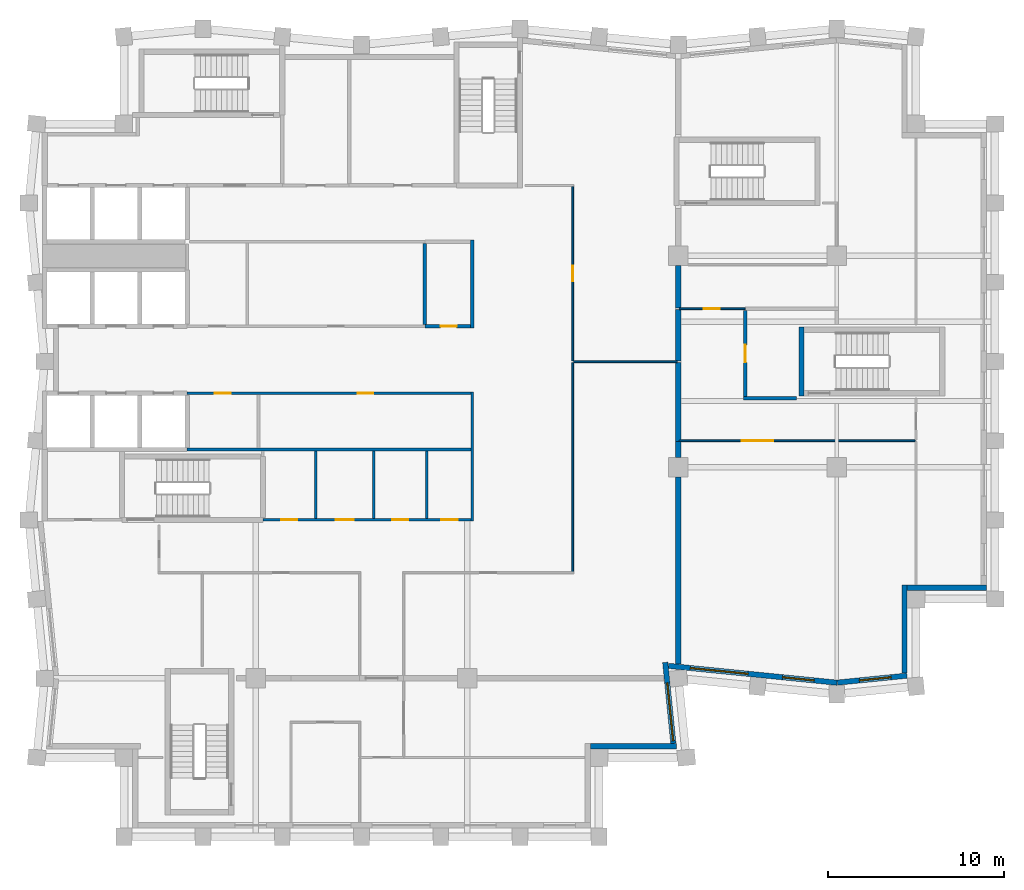
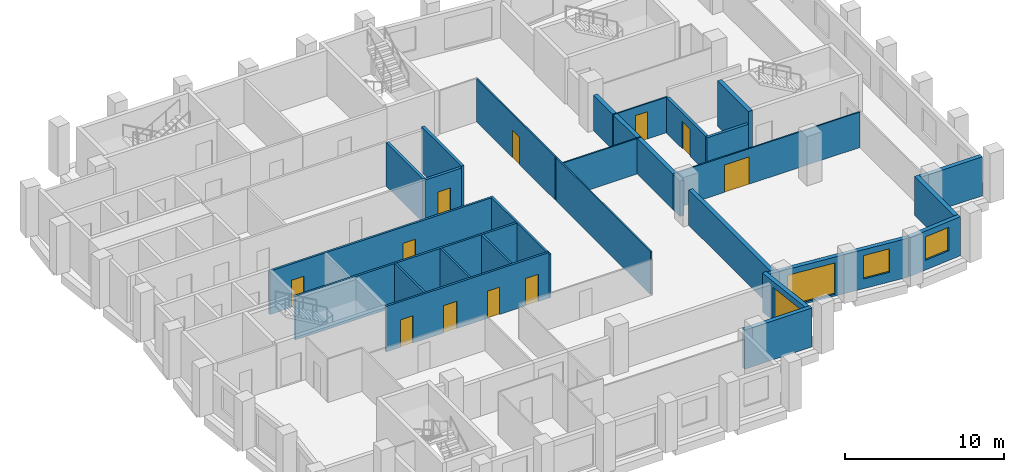
# One storey, part 4 of 8: 29 walls, 11 doors, 4 windows, 15 openings.
"""IFC4 building model written with IfcOpenShell, lengths in metres."""

from ifc_helpers import new_model, si_unit, direction, frame, frame_2d, origin, place, context, subcontext, project, spatial, rectangle, extrude, material, layer, layer_set, type_object, element, fill, save


model = new_model("IFC4")

# Units and contexts
model_context = context("Model", 3, precision=1e-05, world=origin(), true_north=direction((0.0, 1.0)))
body_context = subcontext(model_context, "Body", "Model", "MODEL_VIEW")
ifc_project = project(units=[si_unit("LENGTHUNIT", "METRE"), si_unit("AREAUNIT", "SQUARE_METRE"), si_unit("VOLUMEUNIT", "CUBIC_METRE"), si_unit("PLANEANGLEUNIT", "RADIAN"), si_unit("MASSUNIT", "GRAM", prefix="KILO")], contexts=[model_context])

# Site, building, storey
site_placement = place(None, origin())
site = spatial("IfcSite", under=ifc_project, at=site_placement, CompositionType="ELEMENT")
building_placement = place(site_placement, origin())
building = spatial("IfcBuilding", under=site, at=building_placement, Name="Brondeck Convention Tower", CompositionType="ELEMENT")
storey_placement = place(building_placement, frame((0.0, 0.0, 244.39990234375)))
storey = spatial("IfcBuildingStorey", under=building, at=storey_placement, Name="L60", CompositionType="ELEMENT", Elevation=244.39990234375)

# Walls
ifc_material_1 = material(Name="Concrete compartment wall C30/37", Category="concrete")
ifc_layer_1 = layer(ifc_material_1, 0.300048828125)
ifc_layer_set_1 = layer_set([ifc_layer_1], Name="Compartment wall 300")
wall_type_1 = type_object("IfcWallType", Name="Compartment wall 300", PredefinedType="PARTITIONING", material=ifc_layer_set_1)
wall_1_placement = place(storey_placement, frame((36.0, 27.823974609375, 0.0), z_axis=(0.0, 0.0, 1.0), x_axis=(0.0, 1.0, 0.0)))
element("IfcWall", 1, at=wall_1_placement, inside=storey, type_object=wall_type_1, Name="FLR-L60-W021", PredefinedType="PARTITIONING", context=body_context, shape_type="SweptSolid", body=[
    extrude(rectangle(XDim=10.62109375, YDim=0.300048828125, at=frame_2d((5.310546875, 0.0))), origin(), (0.0, 0.0, 1.0), 2.72998046875),
])
wall_2_placement = place(storey_placement, frame((36.0, 39.554931640625, 0.0), z_axis=(0.0, 0.0, 1.0), x_axis=(0.0, 1.0, 0.0)))
element("IfcWall", 2, at=wall_2_placement, inside=storey, type_object=wall_type_1, Name="FLR-L60-W030", PredefinedType="PARTITIONING", context=body_context, shape_type="SweptSolid", body=[
    extrude(rectangle(XDim=0.89501953125, YDim=0.300048828125, at=frame_2d((0.447509765625, 0.0))), origin(), (0.0, 0.0, 1.0), 2.72998046875),
])
wall_3_placement = place(storey_placement, frame((36.0, 40.455078125, 0.0), z_axis=(0.0, 0.0, 1.0), x_axis=(0.0, 1.0, 0.0)))
element("IfcWall", 3, at=wall_3_placement, inside=storey, type_object=wall_type_1, Name="FLR-L60-W032", PredefinedType="PARTITIONING", context=body_context, shape_type="SweptSolid", body=[
    extrude(rectangle(XDim=4.48486328125, YDim=0.300048828125, at=frame_2d((2.242431640625, 0.0))), origin(), (0.0, 0.0, 1.0), 2.72998046875),
])
wall_4_placement = place(storey_placement, frame((36.0, 45.0400390625, 0.0), z_axis=(0.0, 0.0, 1.0), x_axis=(0.0, 1.0, 0.0)))
element("IfcWall", 4, at=wall_4_placement, inside=storey, type_object=wall_type_1, Name="FLR-L60-W037", PredefinedType="PARTITIONING", context=body_context, shape_type="SweptSolid", body=[
    extrude(rectangle(XDim=2.909912109375, YDim=0.300048828125, at=frame_2d((1.455078125, 0.0))), origin(), (0.0, 0.0, 1.0), 2.72998046875),
])
wall_5_placement = place(storey_placement, frame((36.0, 48.050048828125, 0.0), z_axis=(0.0, 0.0, 1.0), x_axis=(0.0, 1.0, 0.0)))
element("IfcWall", 5, at=wall_5_placement, inside=storey, type_object=wall_type_1, Name="FLR-L60-W043", PredefinedType="PARTITIONING", context=body_context, shape_type="SweptSolid", body=[
    extrude(rectangle(XDim=2.39501953125, YDim=0.300048828125, at=frame_2d((1.197509765625, 0.0))), origin(), (0.0, 0.0, 1.0), 2.72998046875),
])

# Wall, openings, doors
ifc_material_2 = material(Name="Concrete C50/60", Category="concrete")
ifc_layer_2 = layer(ifc_material_2, 0.14990234375)
ifc_layer_set_2 = layer_set([ifc_layer_2], Name="Core beam-seat wall 150 Concrete C50/60")
wall_type_2 = type_object("IfcWallType", Name="Core beam-seat wall 150 Concrete C50/60", PredefinedType="SHEAR", material=ifc_layer_set_2)
wall_6_placement = place(storey_placement, frame((12.39990234375, 36.0, 0.0), z_axis=(0.0, 0.0, 1.0), x_axis=(1.0, 0.0, 0.0)))
wall_6 = element("IfcWall", 6, at=wall_6_placement, inside=storey, type_object=wall_type_2, Name="L60 core wall", PredefinedType="SHEAR", context=body_context, shape_type="SweptSolid", body=[
    extrude(rectangle(XDim=11.8251953125, YDim=0.14990234375, at=frame_2d((5.91259765625, 0.0))), origin(), (0.0, 0.0, 1.0), 3.5),
])
opening_1_placement = place(wall_6_placement, frame((1.050048828125, 0.0, 0.0)))
opening_1 = element("IfcOpeningElement", 7, at=opening_1_placement, cuts=wall_6, Name="Opening C32-03", PredefinedType="OPENING", context=body_context, shape_type="SweptSolid", body=[
    extrude(rectangle(XDim=0.89990234375, YDim=2.10009765625, at=frame_2d((0.449951171875, 1.050048828125))), frame((0.0, 0.0849609375, 0.0), z_axis=(0.0, -1.0, 0.0), x_axis=(1.0, 0.0, 0.0)), (0.0, 0.0, 1.0), 0.169921875),
])
opening_2_placement = place(wall_6_placement, frame((4.14990234375, 0.0, 0.0)))
opening_2 = element("IfcOpeningElement", 8, at=opening_2_placement, cuts=wall_6, Name="Opening C32-04", PredefinedType="OPENING", context=body_context, shape_type="SweptSolid", body=[
    extrude(rectangle(XDim=1.0, YDim=2.10009765625, at=frame_2d((0.5, 1.050048828125))), frame((0.0, 0.0849609375, 0.0), z_axis=(0.0, -1.0, 0.0), x_axis=(1.0, 0.0, 0.0)), (0.0, 0.0, 1.0), 0.169921875),
])
opening_3_placement = place(wall_6_placement, frame((7.35009765625, 0.0, 0.0)))
opening_3 = element("IfcOpeningElement", 9, at=opening_3_placement, cuts=wall_6, Name="Opening C32-05", PredefinedType="OPENING", context=body_context, shape_type="SweptSolid", body=[
    extrude(rectangle(XDim=0.89990234375, YDim=2.10009765625, at=frame_2d((0.449951171875, 1.050048828125))), frame((0.0, 0.0849609375, 0.0), z_axis=(0.0, -1.0, 0.0), x_axis=(1.0, 0.0, 0.0)), (0.0, 0.0, 1.0), 0.169921875),
])
opening_4_placement = place(wall_6_placement, frame((10.125, 0.0, 0.0)))
opening_4 = element("IfcOpeningElement", 10, at=opening_4_placement, cuts=wall_6, Name="Opening C32-06", PredefinedType="OPENING", context=body_context, shape_type="SweptSolid", body=[
    extrude(rectangle(XDim=0.949951171875, YDim=2.10009765625, at=frame_2d((0.47509765625, 1.050048828125))), frame((0.0, 0.0849609375, 0.0), z_axis=(0.0, -1.0, 0.0), x_axis=(1.0, 0.0, 0.0)), (0.0, 0.0, 1.0), 0.169921875),
])
ifc_material_3 = material(Name="Steel fire door", Category="steel")
door_type_1 = type_object("IfcDoorType", Name="Room door 1000x2100 EI 60", OperationType="NOTDEFINED", PredefinedType="DOOR", material=ifc_material_3)
door_1_placement = place(opening_2_placement, origin())
door_1 = element("IfcDoor", 11, at=door_1_placement, inside=storey, type_object=door_type_1, Name="L60 Room door FR-2", OperationType="SINGLE_SWING_LEFT", OverallHeight=2.10009765625, OverallWidth=1.0, PredefinedType="DOOR", context=body_context, shape_type="SweptSolid", body=[
    extrude(rectangle(XDim=1.0, YDim=2.10009765625, at=frame_2d((0.5, 1.050048828125))), frame((0.0, 0.02490234375, 0.0), z_axis=(0.0, -1.0, 0.0), x_axis=(1.0, 0.0, 0.0)), (0.0, 0.0, 1.0), 0.050048828125),
])
fill(opening_2, door_1)
door_type_2 = type_object("IfcDoorType", Name="Room door 900x2100 EI 60", OperationType="NOTDEFINED", PredefinedType="DOOR", material=ifc_material_3)
door_2_placement = place(opening_1_placement, origin())
door_2 = element("IfcDoor", 12, at=door_2_placement, inside=storey, type_object=door_type_2, Name="L60 Room door FR-1", OperationType="SINGLE_SWING_RIGHT", OverallHeight=2.10009765625, OverallWidth=0.89990234375, PredefinedType="DOOR", context=body_context, shape_type="SweptSolid", body=[
    extrude(rectangle(XDim=0.89990234375, YDim=2.10009765625, at=frame_2d((0.449951171875, 1.050048828125))), frame((0.0, 0.02490234375, 0.0), z_axis=(0.0, -1.0, 0.0), x_axis=(1.0, 0.0, 0.0)), (0.0, 0.0, 1.0), 0.050048828125),
])
fill(opening_1, door_2)
door_3_placement = place(opening_3_placement, origin())
door_3 = element("IfcDoor", 13, at=door_3_placement, inside=storey, type_object=door_type_2, Name="L60 Room door FR-3", OperationType="SINGLE_SWING_RIGHT", OverallHeight=2.10009765625, OverallWidth=0.89990234375, PredefinedType="DOOR", context=body_context, shape_type="SweptSolid", body=[
    extrude(rectangle(XDim=0.89990234375, YDim=2.10009765625, at=frame_2d((0.449951171875, 1.050048828125))), frame((0.0, 0.02490234375, 0.0), z_axis=(0.0, -1.0, 0.0), x_axis=(1.0, 0.0, 0.0)), (0.0, 0.0, 1.0), 0.050048828125),
])
fill(opening_3, door_3)
door_type_3 = type_object("IfcDoorType", Name="Room door 950x2100 EI 60", OperationType="NOTDEFINED", PredefinedType="DOOR", material=ifc_material_3)
door_4_placement = place(opening_4_placement, origin())
door_4 = element("IfcDoor", 14, at=door_4_placement, inside=storey, type_object=door_type_3, Name="L60 Room door FR-4", OperationType="SINGLE_SWING_LEFT", OverallHeight=2.10009765625, OverallWidth=0.949951171875, PredefinedType="DOOR", context=body_context, shape_type="SweptSolid", body=[
    extrude(rectangle(XDim=0.949951171875, YDim=2.10009765625, at=frame_2d((0.47509765625, 1.050048828125))), frame((0.0, 0.02490234375, 0.0), z_axis=(0.0, -1.0, 0.0), x_axis=(1.0, 0.0, 0.0)), (0.0, 0.0, 1.0), 0.050048828125),
])
fill(opening_4, door_4)

# Walls
ifc_layer_3 = layer(ifc_material_2, 0.199951171875)
ifc_layer_set_3 = layer_set([ifc_layer_3], Name="Core beam-seat wall 200 Concrete C50/60")
wall_type_3 = type_object("IfcWallType", Name="Core beam-seat wall 200 Concrete C50/60", PredefinedType="SHEAR", material=ifc_layer_set_3)
wall_7_placement = place(storey_placement, frame((24.300048828125, 46.89990234375, 0.0), z_axis=(0.0, 0.0, 1.0), x_axis=(0.0, 1.0, 0.0)))
element("IfcWall", 15, at=wall_7_placement, inside=storey, type_object=wall_type_3, Name="L60 core wall", PredefinedType="SHEAR", context=body_context, shape_type="SweptSolid", body=[
    extrude(rectangle(XDim=5.0, YDim=0.199951171875, at=frame_2d((2.5, 0.0))), origin(), (0.0, 0.0, 1.0), 3.5),
])
ifc_material_4 = material(Name="Fire-rated gypsum board partition")
ifc_layer_4 = layer(ifc_material_4, 0.14990234375)
ifc_layer_set_4 = layer_set([ifc_layer_4], Name="Core partition 150 EI 60")
wall_type_4 = type_object("IfcWallType", Name="Core partition 150 EI 60", PredefinedType="PARTITIONING", material=ifc_layer_set_4)
wall_8_placement = place(storey_placement, frame((8.10009765625, 40.0, 0.0), z_axis=(0.0, 0.0, 1.0), x_axis=(1.0, 0.0, 0.0)))
element("IfcWall", 16, at=wall_8_placement, inside=storey, type_object=wall_type_4, Name="L60 core wall", PredefinedType="PARTITIONING", context=body_context, shape_type="SweptSolid", body=[
    extrude(rectangle(XDim=16.125, YDim=0.14990234375, at=frame_2d((8.0625, 0.0))), origin(), (0.0, 0.0, 1.0), 3.35009765625),
])

# Wall, openings, doors
wall_9_placement = place(storey_placement, frame((8.10009765625, 43.199951171875, 0.0), z_axis=(0.0, 0.0, 1.0), x_axis=(1.0, 0.0, 0.0)))
wall_9 = element("IfcWall", 17, at=wall_9_placement, inside=storey, type_object=wall_type_4, Name="L60 core wall", PredefinedType="PARTITIONING", context=body_context, shape_type="SweptSolid", body=[
    extrude(rectangle(XDim=16.125, YDim=0.14990234375, at=frame_2d((8.0625, 0.0))), origin(), (0.0, 0.0, 1.0), 3.35009765625),
])
opening_5_placement = place(wall_9_placement, frame((1.574951171875, 0.0, 0.0)))
opening_5 = element("IfcOpeningElement", 18, at=opening_5_placement, cuts=wall_9, Name="Opening C32-10", PredefinedType="OPENING", context=body_context, shape_type="SweptSolid", body=[
    extrude(rectangle(XDim=0.89990234375, YDim=2.10009765625, at=frame_2d((0.449951171875, 1.050048828125))), frame((0.0, 0.0849609375, 0.0), z_axis=(0.0, -1.0, 0.0), x_axis=(1.0, 0.0, 0.0)), (0.0, 0.0, 1.0), 0.169921875),
])
opening_6_placement = place(wall_9_placement, frame((9.675048828125, 0.0, 0.0)))
opening_6 = element("IfcOpeningElement", 19, at=opening_6_placement, cuts=wall_9, Name="Opening C32-11", PredefinedType="OPENING", context=body_context, shape_type="SweptSolid", body=[
    extrude(rectangle(XDim=0.89990234375, YDim=2.10009765625, at=frame_2d((0.449951171875, 1.050048828125))), frame((0.0, 0.0849609375, 0.0), z_axis=(0.0, -1.0, 0.0), x_axis=(1.0, 0.0, 0.0)), (0.0, 0.0, 1.0), 0.169921875),
])
door_5_placement = place(opening_5_placement, origin())
door_5 = element("IfcDoor", 20, at=door_5_placement, inside=storey, type_object=door_type_2, Name="L60 Room door FZ-S-8.1-1", OperationType="SINGLE_SWING_RIGHT", OverallHeight=2.10009765625, OverallWidth=0.89990234375, PredefinedType="DOOR", context=body_context, shape_type="SweptSolid", body=[
    extrude(rectangle(XDim=0.89990234375, YDim=2.10009765625, at=frame_2d((0.449951171875, 1.050048828125))), frame((0.0, 0.02490234375, 0.0), z_axis=(0.0, -1.0, 0.0), x_axis=(1.0, 0.0, 0.0)), (0.0, 0.0, 1.0), 0.050048828125),
])
fill(opening_5, door_5)
door_6_placement = place(opening_6_placement, origin())
door_6 = element("IfcDoor", 21, at=door_6_placement, inside=storey, type_object=door_type_2, Name="L60 Room door FZ-S-8.1-2", OperationType="SINGLE_SWING_LEFT", OverallHeight=2.10009765625, OverallWidth=0.89990234375, PredefinedType="DOOR", context=body_context, shape_type="SweptSolid", body=[
    extrude(rectangle(XDim=0.89990234375, YDim=2.10009765625, at=frame_2d((0.449951171875, 1.050048828125))), frame((0.0, 0.02490234375, 0.0), z_axis=(0.0, -1.0, 0.0), x_axis=(1.0, 0.0, 0.0)), (0.0, 0.0, 1.0), 0.050048828125),
])
fill(opening_6, door_6)

# Walls
for number, where, z_axis, x_axis, name in (
    (22, (15.39990234375, 36.074951171875, 0.0), (0.0, 0.0, 1.0), (0.0, 1.0, 0.0), "L60 core wall"),
    (23, (18.699951171875, 36.074951171875, 0.0), (0.0, 0.0, 1.0), (0.0, 1.0, 0.0), "L60 core wall"),
    (24, (21.699951171875, 36.074951171875, 0.0), (0.0, 0.0, 1.0), (0.0, 1.0, 0.0), "L60 core wall"),
):
    element("IfcWall", number, at=place(storey_placement, frame(where, z_axis=z_axis, x_axis=x_axis)), inside=storey, type_object=wall_type_4, Name=name, PredefinedType="PARTITIONING", context=body_context, shape_type="SweptSolid", body=[
        extrude(rectangle(XDim=3.85009765625, YDim=0.14990234375, at=frame_2d((1.925048828125, 0.0))), origin(), (0.0, 0.0, 1.0), 3.35009765625),
    ])
wall_10_placement = place(storey_placement, frame((24.300048828125, 35.925048828125, 0.0), z_axis=(0.0, 0.0, 1.0), x_axis=(0.0, 1.0, 0.0)))
element("IfcWall", 25, at=wall_10_placement, inside=storey, type_object=wall_type_4, Name="L60 core wall", PredefinedType="PARTITIONING", context=body_context, shape_type="SweptSolid", body=[
    extrude(rectangle(XDim=7.349853515625, YDim=0.14990234375, at=frame_2d((3.6748046875, 0.0))), origin(), (0.0, 0.0, 1.0), 3.35009765625),
])
ifc_material_5 = material(Name="Precast concrete C50/60 bronze finish", Category="concrete")
ifc_layer_5 = layer(ifc_material_5, 0.070068359375, Name="Bronze precast facing")
ifc_material_6 = material(Name="Mineral wool")
ifc_layer_6 = layer(ifc_material_6, 0.159912109375, Name="Insulation")
ifc_material_7 = material(Name="Concrete C35/45", Category="concrete")
ifc_layer_7 = layer(ifc_material_7, 0.070068359375, Name="Backing")
ifc_layer_set_5 = layer_set([ifc_layer_5, ifc_layer_6, ifc_layer_7], Name="External infill wall, precast concrete C50/60 bronze facing")
wall_type_5 = type_object("IfcWallType", Name="External infill wall, precast concrete C50/60 bronze facing", PredefinedType="SOLIDWALL", material=ifc_layer_set_5)
wall_11_placement = place(storey_placement, frame((35.8974609375, 23.14990234375, 0.0), z_axis=(0.0, 0.0, 1.0), x_axis=(-1.0, 0.0, 0.0)))
element("IfcWall", 26, at=wall_11_placement, inside=storey, type_object=wall_type_5, Name="ENV-EW-L60-P2-NC-SEB18-02", PredefinedType="SOLIDWALL", context=body_context, shape_type="SweptSolid", body=[
    extrude(rectangle(XDim=4.8974609375, YDim=0.300048828125, at=frame_2d((2.44873046875, 0.0))), origin(), (0.0, 0.0, 1.0), 3.0),
])

# Wall, opening, window
wall_12_placement = place(storey_placement, frame((35.255859375, 27.908203125, 0.0), z_axis=(0.0, 0.0, 1.0), x_axis=(0.099535070904, -0.995034054523, 0.0)))
wall_12 = element("IfcWall", 27, at=wall_12_placement, inside=storey, type_object=wall_type_5, Name="ENV-EW-L60-P2-B-E-00", PredefinedType="SOLIDWALL", context=body_context, shape_type="SweptSolid", body=[
    extrude(rectangle(XDim=4.6259765625, YDim=0.300048828125, at=frame_2d((2.31298828125, 0.0))), origin(), (0.0, 0.0, 1.0), 3.0),
])
opening_7_placement = place(wall_12_placement, frame((1.176025390625, 0.0, 0.14990234375)))
opening_7 = element("IfcOpeningElement", 28, at=opening_7_placement, cuts=wall_12, Name="Opening W9", PredefinedType="OPENING", context=body_context, shape_type="SweptSolid", body=[
    extrude(rectangle(XDim=3.300048828125, YDim=2.39990234375, at=frame_2d((1.64990234375, 1.199951171875))), frame((0.0, 0.159912109375, 0.0), z_axis=(0.0, -1.0, 0.0), x_axis=(1.0, 0.0, 0.0)), (0.0, 0.0, 1.0), 0.320068359375),
])
ifc_material_8 = material(Name="Bronze tinted double glazing", Category="glass")
window_type_1 = type_object("IfcWindowType", Name="Glazed flute window, bronze tinted", PartitioningType="SINGLE_PANEL", PredefinedType="WINDOW", material=ifc_material_8)
window_1_placement = place(opening_7_placement, origin())
window_1 = element("IfcWindow", 29, at=window_1_placement, inside=storey, type_object=window_type_1, Name="ENV-WN-L60-P2-B-E-00", OverallHeight=2.39990234375, OverallWidth=3.300048828125, PartitioningType="SINGLE_PANEL", PredefinedType="WINDOW", context=body_context, shape_type="SweptSolid", body=[
    extrude(rectangle(XDim=3.300048828125, YDim=2.39990234375, at=frame_2d((1.64990234375, 1.199951171875))), frame((0.0, 0.030029296875, 0.0), z_axis=(0.0, -1.0, 0.0), x_axis=(1.0, 0.0, 0.0)), (0.0, 0.0, 1.0), 0.06005859375),
])
fill(opening_7, window_1)

# Wall, openings, windows
wall_13_placement = place(storey_placement, frame((45.014892578125, 26.751708984375, 0.0), z_axis=(0.0, 0.0, 1.0), x_axis=(-0.9950379439, 0.099496181828, 0.0)))
wall_13 = element("IfcWall", 30, at=wall_13_placement, inside=storey, type_object=wall_type_5, Name="ENV-EW-L60-P2-A-S-00", PredefinedType="SOLIDWALL", context=body_context, shape_type="SweptSolid", body=[
    extrude(rectangle(XDim=9.621337890625, YDim=0.300048828125, at=frame_2d((4.810546875, 0.0))), origin(), (0.0, 0.0, 1.0), 3.0),
])
opening_8_placement = place(wall_13_placement, frame((1.311279296875, 0.0, 0.75)))
opening_8 = element("IfcOpeningElement", 31, at=opening_8_placement, cuts=wall_13, Name="Opening W10", PredefinedType="OPENING", context=body_context, shape_type="SweptSolid", body=[
    extrude(rectangle(XDim=1.800048828125, YDim=1.800048828125, at=frame_2d((0.89990234375, 0.89990234375))), frame((0.0, 0.159912109375, 0.0), z_axis=(0.0, -1.0, 0.0), x_axis=(1.0, 0.0, 0.0)), (0.0, 0.0, 1.0), 0.320068359375),
])
opening_9_placement = place(wall_13_placement, frame((5.08349609375, 0.0, 0.14990234375)))
opening_9 = element("IfcOpeningElement", 32, at=opening_9_placement, cuts=wall_13, Name="Opening W9", PredefinedType="OPENING", context=body_context, shape_type="SweptSolid", body=[
    extrude(rectangle(XDim=3.300048828125, YDim=2.39990234375, at=frame_2d((1.64990234375, 1.199951171875))), frame((0.0, 0.159912109375, 0.0), z_axis=(0.0, -1.0, 0.0), x_axis=(1.0, 0.0, 0.0)), (0.0, 0.0, 1.0), 0.320068359375),
])
window_2_placement = place(opening_9_placement, origin())
window_2 = element("IfcWindow", 33, at=window_2_placement, inside=storey, type_object=window_type_1, Name="ENV-WN-L60-P2-A-S-00", OverallHeight=2.39990234375, OverallWidth=3.300048828125, PartitioningType="SINGLE_PANEL", PredefinedType="WINDOW", context=body_context, shape_type="SweptSolid", body=[
    extrude(rectangle(XDim=3.300048828125, YDim=2.39990234375, at=frame_2d((1.64990234375, 1.199951171875))), frame((0.0, 0.030029296875, 0.0), z_axis=(0.0, -1.0, 0.0), x_axis=(1.0, 0.0, 0.0)), (0.0, 0.0, 1.0), 0.06005859375),
])
fill(opening_9, window_2)
window_type_2 = type_object("IfcWindowType", Name="Punched window, bronze tinted", PartitioningType="SINGLE_PANEL", PredefinedType="WINDOW", material=ifc_material_8)
window_3_placement = place(opening_8_placement, origin())
window_3 = element("IfcWindow", 34, at=window_3_placement, inside=storey, type_object=window_type_2, Name="ENV-WN-L60-P2-A-S-01", OverallHeight=1.800048828125, OverallWidth=1.800048828125, PartitioningType="SINGLE_PANEL", PredefinedType="WINDOW", context=body_context, shape_type="SweptSolid", body=[
    extrude(rectangle(XDim=1.800048828125, YDim=1.800048828125, at=frame_2d((0.89990234375, 0.89990234375))), frame((0.0, 0.030029296875, 0.0), z_axis=(0.0, -1.0, 0.0), x_axis=(1.0, 0.0, 0.0)), (0.0, 0.0, 1.0), 0.06005859375),
])
fill(opening_8, window_3)

# Wall, opening, window
wall_14_placement = place(storey_placement, frame((48.985107421875, 27.151611328125, 0.0), z_axis=(0.0, 0.0, 1.0), x_axis=(-0.995037798293, -0.099497638, 0.0)))
wall_14 = element("IfcWall", 35, at=wall_14_placement, inside=storey, type_object=wall_type_5, Name="ENV-EW-L60-P2-A-S-02", PredefinedType="SOLIDWALL", context=body_context, shape_type="SweptSolid", body=[
    extrude(rectangle(XDim=3.97509765625, YDim=0.300048828125, at=frame_2d((1.987548828125, 0.0))), origin(), (0.0, 0.0, 1.0), 3.0),
])
opening_10_placement = place(wall_14_placement, frame((0.90869140625, 0.0, 0.75)))
opening_10 = element("IfcOpeningElement", 36, at=opening_10_placement, cuts=wall_14, Name="Opening W10", PredefinedType="OPENING", context=body_context, shape_type="SweptSolid", body=[
    extrude(rectangle(XDim=1.800048828125, YDim=1.800048828125, at=frame_2d((0.89990234375, 0.89990234375))), frame((0.0, 0.159912109375, 0.0), z_axis=(0.0, -1.0, 0.0), x_axis=(1.0, 0.0, 0.0)), (0.0, 0.0, 1.0), 0.320068359375),
])
window_4_placement = place(opening_10_placement, origin())
window_4 = element("IfcWindow", 37, at=window_4_placement, inside=storey, type_object=window_type_2, Name="ENV-WN-L60-P2-A-S-02", OverallHeight=1.800048828125, OverallWidth=1.800048828125, PartitioningType="SINGLE_PANEL", PredefinedType="WINDOW", context=body_context, shape_type="SweptSolid", body=[
    extrude(rectangle(XDim=1.800048828125, YDim=1.800048828125, at=frame_2d((0.89990234375, 0.89990234375))), frame((0.0, 0.030029296875, 0.0), z_axis=(0.0, -1.0, 0.0), x_axis=(1.0, 0.0, 0.0)), (0.0, 0.0, 1.0), 0.06005859375),
])
fill(opening_10, window_4)

# Walls
wall_15_placement = place(storey_placement, frame((48.85009765625, 32.300048828125, 0.0), z_axis=(0.0, 0.0, 1.0), x_axis=(0.0, -1.0, 0.0)))
element("IfcWall", 38, at=wall_15_placement, inside=storey, type_object=wall_type_5, Name="ENV-EW-L60-P2-NC-SEA54-01", PredefinedType="SOLIDWALL", context=body_context, shape_type="SweptSolid", body=[
    extrude(rectangle(XDim=5.009765625, YDim=0.300048828125, at=frame_2d((2.5048828125, 0.0))), origin(), (0.0, 0.0, 1.0), 3.0),
])
wall_16_placement = place(storey_placement, frame((53.5, 32.14990234375, 0.0), z_axis=(0.0, 0.0, 1.0), x_axis=(-1.0, 0.0, 0.0)))
element("IfcWall", 39, at=wall_16_placement, inside=storey, type_object=wall_type_5, Name="ENV-EW-L60-P2-NC-SEA54-02", PredefinedType="SOLIDWALL", context=body_context, shape_type="SweptSolid", body=[
    extrude(rectangle(XDim=4.501953125, YDim=0.300048828125, at=frame_2d((2.2509765625, 0.0))), origin(), (0.0, 0.0, 1.0), 3.0),
])
ifc_material_9 = material(Name="Concrete block wall C16/20", Category="concrete")
ifc_layer_8 = layer(ifc_material_9, 0.199951171875)
ifc_layer_set_6 = layer_set([ifc_layer_8], Name="Plant room wall 200")
wall_type_6 = type_object("IfcWallType", Name="Plant room wall 200", PredefinedType="PARTITIONING", material=ifc_layer_set_6)
wall_17_placement = place(storey_placement, frame((39.699951171875, 42.89990234375, 0.0), z_axis=(0.0, 0.0, 1.0), x_axis=(1.0, 0.0, 0.0)))
element("IfcWall", 40, at=wall_17_placement, inside=storey, type_object=wall_type_6, Name="FLR-L60-W033", PredefinedType="PARTITIONING", context=body_context, shape_type="SweptSolid", body=[
    extrude(rectangle(XDim=3.0, YDim=0.199951171875, at=frame_2d((1.5, 0.0))), origin(), (0.0, 0.0, 1.0), 2.72998046875),
])

# Wall, opening, door
wall_18_placement = place(storey_placement, frame((39.800048828125, 47.89990234375, 0.0), z_axis=(0.0, 0.0, 1.0), x_axis=(0.0, -1.0, 0.0)))
wall_18 = element("IfcWall", 41, at=wall_18_placement, inside=storey, type_object=wall_type_6, Name="FLR-L60-W039", PredefinedType="PARTITIONING", context=body_context, shape_type="SweptSolid", body=[
    extrude(rectangle(XDim=4.89990234375, YDim=0.199951171875, at=frame_2d((2.449951171875, 0.0))), origin(), (0.0, 0.0, 1.0), 2.72998046875),
])
opening_11_placement = place(wall_18_placement, frame((1.949951171875, 0.0, 0.0)))
opening_11 = element("IfcOpeningElement", 42, at=opening_11_placement, cuts=wall_18, Name="Opening OF-O-001", PredefinedType="OPENING", context=body_context, shape_type="SweptSolid", body=[
    extrude(rectangle(XDim=1.0, YDim=2.10009765625, at=frame_2d((0.5, 1.050048828125))), frame((0.0, 0.10986328125, 0.0), z_axis=(0.0, -1.0, 0.0), x_axis=(1.0, 0.0, 0.0)), (0.0, 0.0, 1.0), 0.219970703125),
])
ifc_material_10 = material(Name="Steel fire door leaf", Category="steel")
door_type_4 = type_object("IfcDoorType", Name="Plant room door 1000", OperationType="NOTDEFINED", PredefinedType="DOOR", material=ifc_material_10)
door_7_placement = place(opening_11_placement, origin())
door_7 = element("IfcDoor", 43, at=door_7_placement, inside=storey, type_object=door_type_4, Name="Door OF-O-001", OperationType="SINGLE_SWING_RIGHT", OverallHeight=2.10009765625, OverallWidth=1.0, PredefinedType="DOOR", context=body_context, shape_type="SweptSolid", body=[
    extrude(rectangle(XDim=1.0, YDim=2.10009765625, at=frame_2d((0.5, 1.050048828125))), frame((0.0, 0.02490234375, 0.0), z_axis=(0.0, -1.0, 0.0), x_axis=(1.0, 0.0, 0.0)), (0.0, 0.0, 1.0), 0.050048828125),
])
fill(opening_11, door_7)

ifc_layer_9 = layer(ifc_material_4, 0.199951171875)
ifc_layer_set_7 = layer_set([ifc_layer_9], Name="Riser wall 200 EI 120")
wall_type_7 = type_object("IfcWallType", Name="Riser wall 200 EI 120", PredefinedType="PARTITIONING", material=ifc_layer_set_7)
wall_19_placement = place(storey_placement, frame((21.60009765625, 47.0, 0.0), z_axis=(0.0, 0.0, 1.0), x_axis=(1.0, 0.0, 0.0)))
wall_19 = element("IfcWall", 44, at=wall_19_placement, inside=storey, type_object=wall_type_7, Name="L60 core wall", PredefinedType="PARTITIONING", context=body_context, shape_type="SweptSolid", body=[
    extrude(rectangle(XDim=2.599853515625, YDim=0.199951171875, at=frame_2d((1.2998046875, 0.0))), origin(), (0.0, 0.0, 1.0), 3.35009765625),
])
opening_12_placement = place(wall_19_placement, frame((0.89990234375, 0.0, 0.0)))
opening_12 = element("IfcOpeningElement", 45, at=opening_12_placement, cuts=wall_19, Name="Opening C32-02", PredefinedType="OPENING", context=body_context, shape_type="SweptSolid", body=[
    extrude(rectangle(XDim=0.89990234375, YDim=2.10009765625, at=frame_2d((0.449951171875, 1.050048828125))), frame((0.0, 0.10986328125, 0.0), z_axis=(0.0, -1.0, 0.0), x_axis=(1.0, 0.0, 0.0)), (0.0, 0.0, 1.0), 0.219970703125),
])
door_type_5 = type_object("IfcDoorType", Name="Riser door 900x2100 EI 120", OperationType="NOTDEFINED", PredefinedType="DOOR", material=ifc_material_3)
door_8_placement = place(opening_12_placement, origin())
door_8 = element("IfcDoor", 46, at=door_8_placement, inside=storey, type_object=door_type_5, Name="L60 Riser door EN-1", OperationType="SINGLE_SWING_LEFT", OverallHeight=2.10009765625, OverallWidth=0.89990234375, PredefinedType="DOOR", context=body_context, shape_type="SweptSolid", body=[
    extrude(rectangle(XDim=0.89990234375, YDim=2.10009765625, at=frame_2d((0.449951171875, 1.050048828125))), frame((0.0, 0.02490234375, 0.0), z_axis=(0.0, -1.0, 0.0), x_axis=(1.0, 0.0, 0.0)), (0.0, 0.0, 1.0), 0.050048828125),
])
fill(opening_12, door_8)

# Wall
wall_20_placement = place(storey_placement, frame((21.60009765625, 47.10009765625, 0.0), z_axis=(0.0, 0.0, 1.0), x_axis=(0.0, 1.0, 0.0)))
element("IfcWall", 47, at=wall_20_placement, inside=storey, type_object=wall_type_7, Name="L60 core wall", PredefinedType="PARTITIONING", context=body_context, shape_type="SweptSolid", body=[
    extrude(rectangle(XDim=4.599853515625, YDim=0.199951171875, at=frame_2d((2.2998046875, 0.0))), origin(), (0.0, 0.0, 1.0), 3.35009765625),
])

# Wall, opening, door
ifc_material_11 = material(Name="Gypsum board partition on steel studs", Category="steel")
ifc_layer_10 = layer(ifc_material_11, 0.10009765625)
ifc_layer_set_8 = layer_set([ifc_layer_10], Name="Room partition 100")
wall_type_8 = type_object("IfcWallType", Name="Room partition 100", PredefinedType="PARTITIONING", material=ifc_layer_set_8)
wall_21_placement = place(storey_placement, frame((49.449951171875, 40.5, 0.0), z_axis=(0.0, 0.0, 1.0), x_axis=(-1.0, 0.0, 0.0)))
wall_21 = element("IfcWall", 48, at=wall_21_placement, inside=storey, type_object=wall_type_8, Name="FLR-L60-W031", PredefinedType="PARTITIONING", context=body_context, shape_type="SweptSolid", body=[
    extrude(rectangle(XDim=13.39990234375, YDim=0.10009765625, at=frame_2d((6.699951171875, 0.0))), origin(), (0.0, 0.0, 1.0), 2.72998046875),
])
opening_13_placement = place(wall_21_placement, frame((8.050048828125, 0.0, 0.0)))
opening_13 = element("IfcOpeningElement", 49, at=opening_13_placement, cuts=wall_21, Name="Opening OF-O-004", PredefinedType="OPENING", context=body_context, shape_type="SweptSolid", body=[
    extrude(rectangle(XDim=1.800048828125, YDim=2.10009765625, at=frame_2d((0.89990234375, 1.050048828125))), frame((0.0, 0.06005859375, 0.0), z_axis=(0.0, -1.0, 0.0), x_axis=(1.0, 0.0, 0.0)), (0.0, 0.0, 1.0), 0.1201171875),
])
ifc_material_12 = material(Name="Glazed timber double door", Category="wood")
door_type_6 = type_object("IfcDoorType", Name="Double door 1800", OperationType="DOUBLE_DOOR_SINGLE_SWING", PredefinedType="DOOR", material=ifc_material_12)
door_9_placement = place(opening_13_placement, origin())
door_9 = element("IfcDoor", 50, at=door_9_placement, inside=storey, type_object=door_type_6, Name="Door OF-O-004", OperationType="DOUBLE_DOOR_SINGLE_SWING", OverallHeight=2.10009765625, OverallWidth=1.800048828125, PredefinedType="DOOR", context=body_context, shape_type="SweptSolid", body=[
    extrude(rectangle(XDim=1.800048828125, YDim=2.10009765625, at=frame_2d((0.89990234375, 1.050048828125))), frame((0.0, 0.02490234375, 0.0), z_axis=(0.0, -1.0, 0.0), x_axis=(1.0, 0.0, 0.0)), (0.0, 0.0, 1.0), 0.050048828125),
])
fill(opening_13, door_9)

# Walls
wall_22_placement = place(storey_placement, frame((30.0, 44.93994140625, 0.0), z_axis=(0.0, 0.0, 1.0), x_axis=(0.0, -1.0, 0.0)))
element("IfcWall", 51, at=wall_22_placement, inside=storey, type_object=wall_type_8, Name="FLR-L60-W035", PredefinedType="PARTITIONING", context=body_context, shape_type="SweptSolid", body=[
    extrude(rectangle(XDim=11.889892578125, YDim=0.10009765625, at=frame_2d((5.94482421875, 0.0))), origin(), (0.0, 0.0, 1.0), 3.330078125),
])
wall_23_placement = place(storey_placement, frame((30.050048828125, 44.989990234375, 0.0), z_axis=(0.0, 0.0, 1.0), x_axis=(1.0, 0.0, 0.0)))
element("IfcWall", 52, at=wall_23_placement, inside=storey, type_object=wall_type_8, Name="FLR-L60-W036", PredefinedType="PARTITIONING", context=body_context, shape_type="SweptSolid", body=[
    extrude(rectangle(XDim=5.89990234375, YDim=0.10009765625, at=frame_2d((2.949951171875, 0.0))), origin(), (0.0, 0.0, 1.0), 2.72998046875),
])

# Wall, opening, door
wall_24_placement = place(storey_placement, frame((36.050048828125, 48.0, 0.0), z_axis=(0.0, 0.0, 1.0), x_axis=(1.0, 0.0, 0.0)))
wall_24 = element("IfcWall", 53, at=wall_24_placement, inside=storey, type_object=wall_type_8, Name="FLR-L60-W041", PredefinedType="PARTITIONING", context=body_context, shape_type="SweptSolid", body=[
    extrude(rectangle(XDim=3.75, YDim=0.10009765625, at=frame_2d((1.875, 0.0))), origin(), (0.0, 0.0, 1.0), 2.72998046875),
])
opening_14_placement = place(wall_24_placement, frame((1.39990234375, 0.0, 0.0)))
opening_14 = element("IfcOpeningElement", 54, at=opening_14_placement, cuts=wall_24, Name="Opening OF-O-005", PredefinedType="OPENING", context=body_context, shape_type="SweptSolid", body=[
    extrude(rectangle(XDim=0.89990234375, YDim=2.10009765625, at=frame_2d((0.449951171875, 1.050048828125))), frame((0.0, 0.06005859375, 0.0), z_axis=(0.0, -1.0, 0.0), x_axis=(1.0, 0.0, 0.0)), (0.0, 0.0, 1.0), 0.1201171875),
])
ifc_material_13 = material(Name="Solid timber door leaf", Category="wood")
door_type_7 = type_object("IfcDoorType", Name="Single door 900", OperationType="NOTDEFINED", PredefinedType="DOOR", material=ifc_material_13)
door_10_placement = place(opening_14_placement, origin())
door_10 = element("IfcDoor", 55, at=door_10_placement, inside=storey, type_object=door_type_7, Name="Door OF-O-005", OperationType="SINGLE_SWING_LEFT", OverallHeight=2.10009765625, OverallWidth=0.89990234375, PredefinedType="DOOR", context=body_context, shape_type="SweptSolid", body=[
    extrude(rectangle(XDim=0.89990234375, YDim=2.10009765625, at=frame_2d((0.449951171875, 1.050048828125))), frame((0.0, 0.02490234375, 0.0), z_axis=(0.0, -1.0, 0.0), x_axis=(1.0, 0.0, 0.0)), (0.0, 0.0, 1.0), 0.050048828125),
])
fill(opening_14, door_10)

wall_25_placement = place(storey_placement, frame((30.0, 54.949951171875, 0.0), z_axis=(0.0, 0.0, 1.0), x_axis=(0.0, -1.0, 0.0)))
wall_25 = element("IfcWall", 56, at=wall_25_placement, inside=storey, type_object=wall_type_8, Name="FLR-L60-W048", PredefinedType="PARTITIONING", context=body_context, shape_type="SweptSolid", body=[
    extrude(rectangle(XDim=9.909912109375, YDim=0.10009765625, at=frame_2d((4.955078125, 0.0))), origin(), (0.0, 0.0, 1.0), 3.330078125),
])
opening_15_placement = place(wall_25_placement, frame((4.5048828125, 0.0, 0.0)))
opening_15 = element("IfcOpeningElement", 57, at=opening_15_placement, cuts=wall_25, Name="Opening OF-O-011", PredefinedType="OPENING", context=body_context, shape_type="SweptSolid", body=[
    extrude(rectangle(XDim=0.89990234375, YDim=2.10009765625, at=frame_2d((0.449951171875, 1.050048828125))), frame((0.0, 0.06005859375, 0.0), z_axis=(0.0, -1.0, 0.0), x_axis=(1.0, 0.0, 0.0)), (0.0, 0.0, 1.0), 0.1201171875),
])
door_11_placement = place(opening_15_placement, origin())
door_11 = element("IfcDoor", 58, at=door_11_placement, inside=storey, type_object=door_type_7, Name="Door OF-O-011", OperationType="SINGLE_SWING_LEFT", OverallHeight=2.10009765625, OverallWidth=0.89990234375, PredefinedType="DOOR", context=body_context, shape_type="SweptSolid", body=[
    extrude(rectangle(XDim=0.89990234375, YDim=2.10009765625, at=frame_2d((0.449951171875, 1.050048828125))), frame((0.0, 0.02490234375, 0.0), z_axis=(0.0, -1.0, 0.0), x_axis=(1.0, 0.0, 0.0)), (0.0, 0.0, 1.0), 0.050048828125),
])
fill(opening_15, door_11)

# Wall
ifc_layer_11 = layer(ifc_material_2, 0.300048828125)
ifc_layer_set_9 = layer_set([ifc_layer_11], Name="Stair enclosure wall 300 Concrete C50/60")
wall_type_9 = type_object("IfcWallType", Name="Stair enclosure wall 300 Concrete C50/60", PredefinedType="SHEAR", material=ifc_layer_set_9)
wall_26_placement = place(storey_placement, frame((43.0, 43.050048828125, 0.0), z_axis=(0.0, 0.0, 1.0), x_axis=(0.0, 1.0, 0.0)))
element("IfcWall", 59, at=wall_26_placement, inside=storey, type_object=wall_type_9, Name="L60 core wall", PredefinedType="SHEAR", context=body_context, shape_type="SweptSolid", body=[
    extrude(rectangle(XDim=3.89990234375, YDim=0.300048828125, at=frame_2d((1.949951171875, 0.0))), origin(), (0.0, 0.0, 1.0), 3.5),
])

save(model, "model.ifc")
